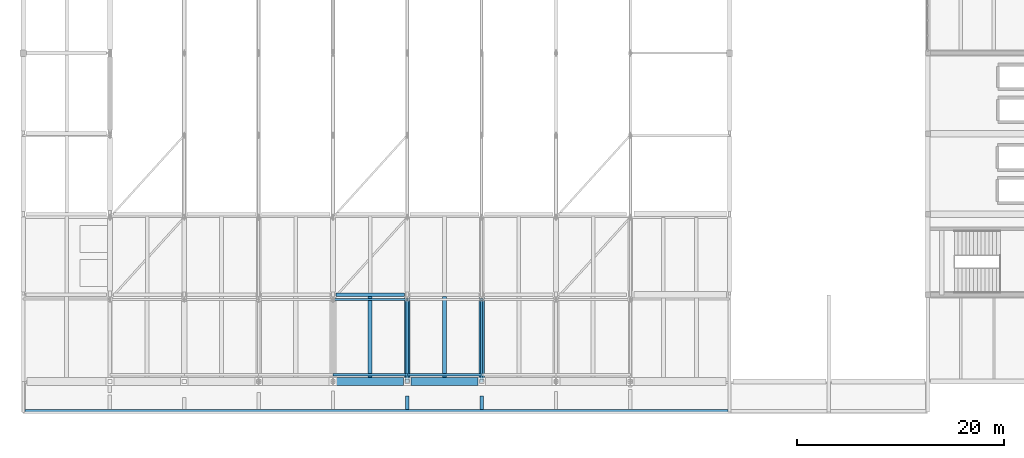
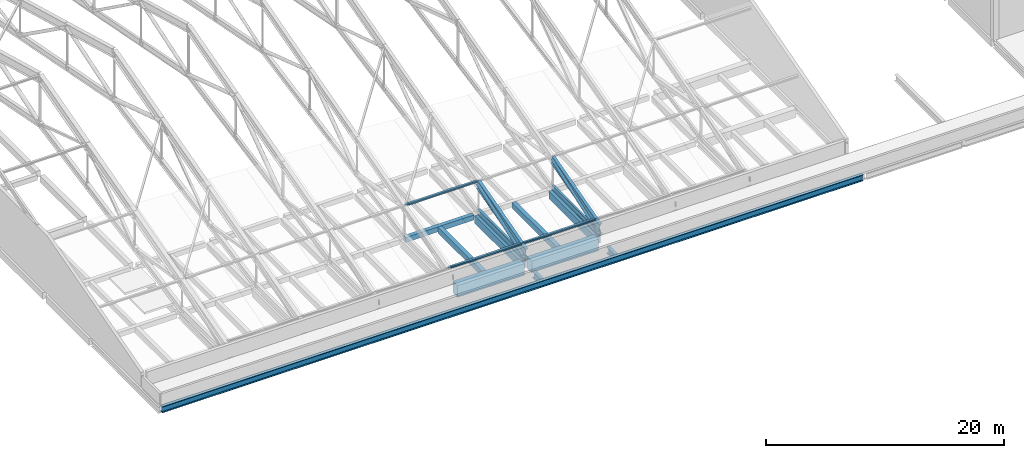
# One storey, part 7 of 53: 14 beams, 5 members.
"""IFC4 building model written with IfcOpenShell, lengths in metres."""

from ifc_helpers import new_model, si_unit, direction, frame, origin, origin_2d, place, context, subcontext, project, spatial, rectangle, hollow_circle, i_section, extrude, material, material_profile, profile_set, type_object, element, save


model = new_model("IFC4")

# Units and contexts
model_context = context("Model", 3, precision=1e-05, world=origin(), true_north=direction((0.0, 1.0)))
body_context = subcontext(model_context, "Body", "Model", "MODEL_VIEW")
ifc_project = project(units=[si_unit("LENGTHUNIT", "METRE"), si_unit("AREAUNIT", "SQUARE_METRE"), si_unit("VOLUMEUNIT", "CUBIC_METRE"), si_unit("PLANEANGLEUNIT", "RADIAN"), si_unit("MASSUNIT", "GRAM", prefix="KILO")], contexts=[model_context])

# Site, building, storey
site_placement = place(None, origin())
site = spatial("IfcSite", under=ifc_project, at=site_placement, CompositionType="ELEMENT")
building_placement = place(site_placement, origin())
building = spatial("IfcBuilding", under=site, at=building_placement, Name="Pellamere Symphony Hall", CompositionType="ELEMENT")
storey_placement = place(building_placement, frame((0.0, 0.0, 24.0)))
storey = spatial("IfcBuildingStorey", under=building, at=storey_placement, Name="L05", CompositionType="ELEMENT", Elevation=24.0)

# Beams
ifc_material_1 = material(Name="Concrete 50 MPa", Category="concrete")
ifc_material_profile_1 = material_profile(ifc_material_1, rectangle(XDim=0.800048828125, YDim=1.199951171875, at=origin_2d()), Name="RC 800x1200")
ifc_profile_set_1 = profile_set([ifc_material_profile_1], Name="Concrete 50 MPa")
beam_type_1 = type_object("IfcBeamType", Name="RC CB-01 800x1200", PredefinedType="BEAM", material=ifc_profile_set_1)
for number, where, z_axis, x_axis, name in (
    (1, (80.75, 30.0, -0.60009765625), (1.0, 0.0, 0.0), (0.0, 1.0, 0.0), "Girder CB-01-X1999 (L05)"),
    (2, (87.949951171875, 30.0, -0.60009765625), (1.0, 0.0, 0.0), (0.0, 1.0, 0.0), "Girder CB-01-X2000 (L05)"),
):
    element("IfcBeam", number, at=place(storey_placement, frame(where, z_axis=z_axis, x_axis=x_axis)), inside=storey, type_object=beam_type_1, Name=name, PredefinedType="BEAM", context=body_context, shape_type="SweptSolid", body=[
        extrude(rectangle(XDim=0.800048828125, YDim=1.199951171875, at=origin_2d()), origin(), (0.0, 0.0, 1.0), 6.5),
    ])
ifc_material_2 = material(Name="Concrete 40 MPa", Category="concrete")
ifc_material_profile_2 = material_profile(ifc_material_2, rectangle(XDim=0.550048828125, YDim=0.800048828125, at=origin_2d()), Name="RC 550x800")
ifc_profile_set_2 = profile_set([ifc_material_profile_2], Name="Concrete 40 MPa")
beam_type_2 = type_object("IfcBeamType", Name="RC CB-05 550x800", PredefinedType="BEAM", material=ifc_profile_set_2)
for number, where, z_axis, x_axis, name in (
    (3, (87.60009765625, 30.35009765625, -0.659912109375), (0.0, 1.0, 0.0), (-1.0, 0.0, 0.0), "Girder CB-05-Y2092 (L05)"),
    (4, (94.800048828125, 30.35009765625, -0.659912109375), (0.0, 1.0, 0.0), (-1.0, 0.0, 0.0), "Girder CB-05-Y2094 (L05)"),
):
    element("IfcBeam", number, at=place(storey_placement, frame(where, z_axis=z_axis, x_axis=x_axis)), inside=storey, type_object=beam_type_2, Name=name, PredefinedType="BEAM", context=body_context, shape_type="SweptSolid", body=[
        extrude(rectangle(XDim=0.550048828125, YDim=0.800048828125, at=origin_2d()), origin(), (0.0, 0.0, 1.0), 7.77490234375),
    ])
ifc_material_profile_3 = material_profile(ifc_material_2, rectangle(XDim=0.39990234375, YDim=0.60009765625, at=origin_2d()), Name="RC 400x600")
ifc_profile_set_3 = profile_set([ifc_material_profile_3], Name="Concrete 40 MPa")
beam_type_3 = type_object("IfcBeamType", Name="RC CB-09 400x600", PredefinedType="BEAM", material=ifc_profile_set_3)
for number, where, z_axis, x_axis, name in (
    (5, (84.0, 30.39990234375, -0.574951171875), (0.0, 1.0, 0.0), (-1.0, 0.0, 0.0), "Secondary Floor Beam CB-09-M1004 (L05)"),
    (6, (91.199951171875, 30.39990234375, -0.574951171875), (0.0, 1.0, 0.0), (-1.0, 0.0, 0.0), "Secondary Floor Beam CB-09-M1104 (L05)"),
):
    element("IfcBeam", number, at=place(storey_placement, frame(where, z_axis=z_axis, x_axis=x_axis)), inside=storey, type_object=beam_type_3, Name=name, PredefinedType="BEAM", context=body_context, shape_type="SweptSolid", body=[
        extrude(rectangle(XDim=0.39990234375, YDim=0.60009765625, at=origin_2d()), origin(), (0.0, 0.0, 1.0), 7.81005859375),
    ])
ifc_material_profile_4 = material_profile(ifc_material_2, rectangle(XDim=0.3798828125, YDim=0.52001953125, at=origin_2d()), Name="RC 380x520")
ifc_profile_set_4 = profile_set([ifc_material_profile_4], Name="Concrete 40 MPa")
beam_type_4 = type_object("IfcBeamType", Name="RC CB-21 380x520", PredefinedType="BEAM", material=ifc_profile_set_4)
beam_1_placement = place(storey_placement, frame((80.675048828125, 38.39990234375, -0.52001953125), z_axis=(1.0, 0.0, 0.0), x_axis=(0.0, 1.0, 0.0)))
element("IfcBeam", 7, at=beam_1_placement, inside=storey, type_object=beam_type_4, Name="Girder CB-21-X2014 (L05)", PredefinedType="BEAM", context=body_context, shape_type="SweptSolid", body=[
    extrude(rectangle(XDim=0.3798828125, YDim=0.52001953125, at=origin_2d()), origin(), (0.0, 0.0, 1.0), 6.64990234375),
])
ifc_material_3 = material(Name="Steel CSA G40.21 350W", Category="steel")
ifc_material_profile_5 = material_profile(ifc_material_3, i_section(OverallWidth=0.30810546875, OverallDepth=0.927001953125, WebThickness=0.019287109375, FlangeThickness=0.031982421875, at=origin_2d()), Name="W920X289")
ifc_profile_set_5 = profile_set([ifc_material_profile_5], Name="Steel CSA G40.21 350W")
beam_type_5 = type_object("IfcBeamType", Name="Steel Beam SB-02 W920X289", PredefinedType="BEAM", material=ifc_profile_set_5)
beam_2_placement = place(storey_placement, frame((87.60009765625, 30.0, 0.771484375), z_axis=(0.0, 0.964090435702, 0.265574154969), x_axis=(-1.0, 0.0, 0.0)))
element("IfcBeam", 8, at=beam_2_placement, inside=storey, type_object=beam_type_5, Name="Roof Truss TR-05 Top Chord 1", PredefinedType="BEAM", context=body_context, shape_type="SweptSolid", body=[
    extrude(i_section(OverallWidth=0.30810546875, OverallDepth=0.927001953125, WebThickness=0.019287109375, FlangeThickness=0.031982421875, at=origin_2d()), origin(), (0.0, 0.0, 1.0), 8.24609375),
])
ifc_material_profile_6 = material_profile(ifc_material_3, i_section(OverallWidth=0.2939453125, OverallDepth=0.85107421875, WebThickness=0.01611328125, FlangeThickness=0.02685546875, at=origin_2d()), Name="W840X226")
ifc_profile_set_6 = profile_set([ifc_material_profile_6], Name="Steel CSA G40.21 350W")
beam_type_6 = type_object("IfcBeamType", Name="Steel Beam SB-04 W840X226", PredefinedType="BEAM", material=ifc_profile_set_6)
beam_3_placement = place(storey_placement, frame((94.800048828125, 30.0, 0.8095703125), z_axis=(0.0, 0.964090435702, 0.265574154969), x_axis=(-1.0, 0.0, 0.0)))
element("IfcBeam", 9, at=beam_3_placement, inside=storey, type_object=beam_type_6, Name="Roof Truss TR-06 Top Chord 1", PredefinedType="BEAM", context=body_context, shape_type="SweptSolid", body=[
    extrude(i_section(OverallWidth=0.2939453125, OverallDepth=0.85107421875, WebThickness=0.01611328125, FlangeThickness=0.02685546875, at=origin_2d()), origin(), (0.0, 0.0, 1.0), 8.24609375),
])
ifc_material_profile_7 = material_profile(ifc_material_3, i_section(OverallWidth=0.3291015625, OverallDepth=0.635009765625, WebThickness=0.017822265625, FlangeThickness=0.031005859375, at=origin_2d()), Name="W610X241")
ifc_profile_set_7 = profile_set([ifc_material_profile_7], Name="Steel CSA G40.21 350W")
beam_type_7 = type_object("IfcBeamType", Name="Steel Beam SB-09 W610X241", PredefinedType="BEAM", material=ifc_profile_set_7)
beam_4_placement = place(storey_placement, frame((87.60009765625, 27.284912109375, -0.5849609375), z_axis=(0.0, 1.0, 0.0), x_axis=(-1.0, 0.0, 0.0)))
element("IfcBeam", 10, at=beam_4_placement, inside=storey, type_object=beam_type_7, Name="Winter-Garden Canopy Outrigger 05", PredefinedType="BEAM", context=body_context, shape_type="SweptSolid", body=[
    extrude(i_section(OverallWidth=0.3291015625, OverallDepth=0.635009765625, WebThickness=0.017822265625, FlangeThickness=0.031005859375, at=origin_2d()), origin(), (0.0, 0.0, 1.0), 1.3115234375),
])
beam_5_placement = place(storey_placement, frame((94.800048828125, 27.284912109375, -0.5849609375), z_axis=(0.0, 1.0, 0.0), x_axis=(-1.0, 0.0, 0.0)))
element("IfcBeam", 11, at=beam_5_placement, inside=storey, type_object=beam_type_7, Name="Winter-Garden Canopy Outrigger 06", PredefinedType="BEAM", context=body_context, shape_type="SweptSolid", body=[
    extrude(i_section(OverallWidth=0.3291015625, OverallDepth=0.635009765625, WebThickness=0.017822265625, FlangeThickness=0.031005859375, at=origin_2d()), origin(), (0.0, 0.0, 1.0), 1.286865234375),
])
beam_6_placement = place(storey_placement, frame((50.56494140625, 27.1201171875, -0.5849609375), z_axis=(1.0, 0.0, 0.0), x_axis=(0.0, 1.0, 0.0)))
element("IfcBeam", 12, at=beam_6_placement, inside=storey, type_object=beam_type_7, Name="Winter-Garden Roof Front Edge Girder 01", PredefinedType="BEAM", context=body_context, shape_type="SweptSolid", body=[
    extrude(i_section(OverallWidth=0.3291015625, OverallDepth=0.635009765625, WebThickness=0.017822265625, FlangeThickness=0.031005859375, at=origin_2d()), origin(), (0.0, 0.0, 1.0), 68.070068359375),
])
ifc_material_profile_8 = material_profile(ifc_material_3, i_section(OverallWidth=0.22802734375, OverallDepth=0.60791015625, WebThickness=0.01123046875, FlangeThickness=0.017333984375, at=origin_2d()), Name="W610X113")
ifc_profile_set_8 = profile_set([ifc_material_profile_8], Name="Steel CSA G40.21 350W")
beam_type_8 = type_object("IfcBeamType", Name="Steel Beam SB-12 W610X113", PredefinedType="BEAM", material=ifc_profile_set_8)
beam_7_placement = place(storey_placement, frame((87.60009765625, 30.0, 0.159912109375), z_axis=(0.0, 1.0, 0.0), x_axis=(-1.0, 0.0, 0.0)))
element("IfcBeam", 13, at=beam_7_placement, inside=storey, type_object=beam_type_8, Name="Roof Truss TR-05 Bottom Chord 1", PredefinedType="BEAM", context=body_context, shape_type="SweptSolid", body=[
    extrude(i_section(OverallWidth=0.22802734375, OverallDepth=0.60791015625, WebThickness=0.01123046875, FlangeThickness=0.017333984375, at=origin_2d()), origin(), (0.0, 0.0, 1.0), 7.949951171875),
])
ifc_material_profile_9 = material_profile(ifc_material_3, i_section(OverallWidth=0.2109375, OverallDepth=0.5390625, WebThickness=0.01171875, FlangeThickness=0.018798828125, at=origin_2d()), Name="W530X109")
ifc_profile_set_9 = profile_set([ifc_material_profile_9], Name="Steel CSA G40.21 350W")
beam_type_9 = type_object("IfcBeamType", Name="Steel Beam SB-14 W530X109", PredefinedType="BEAM", material=ifc_profile_set_9)
beam_8_placement = place(storey_placement, frame((94.800048828125, 30.0, 0.159912109375), z_axis=(0.0, 1.0, 0.0), x_axis=(-1.0, 0.0, 0.0)))
element("IfcBeam", 14, at=beam_8_placement, inside=storey, type_object=beam_type_9, Name="Roof Truss TR-06 Bottom Chord 1", PredefinedType="BEAM", context=body_context, shape_type="SweptSolid", body=[
    extrude(i_section(OverallWidth=0.2109375, OverallDepth=0.5390625, WebThickness=0.01171875, FlangeThickness=0.018798828125, at=origin_2d()), origin(), (0.0, 0.0, 1.0), 7.949951171875),
])

# Members
ifc_material_profile_10 = material_profile(ifc_material_3, hollow_circle(Radius=0.203125, WallThickness=0.0126953125, at=origin_2d()), Name="HSS406X13")
ifc_profile_set_10 = profile_set([ifc_material_profile_10], Name="Steel CSA G40.21 350W")
member_type_1 = type_object("IfcMemberType", Name="Steel Member SM-09 HSS406X13", PredefinedType="STRUT", material=ifc_profile_set_10)
member_1_placement = place(storey_placement, frame((87.60009765625, 30.0, 0.159912109375), z_axis=(0.0, 0.943152241579, 0.332361022391), x_axis=(-1.0, 0.0, 0.0)))
element("IfcMember", 15, at=member_1_placement, inside=storey, type_object=member_type_1, Name="Roof Truss TR-05 Web Diagonal 1", PredefinedType="STRUT", context=body_context, shape_type="SweptSolid", body=[
    extrude(hollow_circle(Radius=0.203125, WallThickness=0.0126953125, at=origin_2d()), origin(), (0.0, 0.0, 1.0), 8.42919921875),
])
ifc_material_profile_11 = material_profile(ifc_material_3, hollow_circle(Radius=0.177734375, WallThickness=0.0126953125, at=origin_2d()), Name="HSS356X13")
ifc_profile_set_11 = profile_set([ifc_material_profile_11], Name="Steel CSA G40.21 350W")
member_type_2 = type_object("IfcMemberType", Name="Steel Member SM-10 HSS356X13", PredefinedType="STRUT", material=ifc_profile_set_11)
member_2_placement = place(storey_placement, frame((94.800048828125, 30.0, 0.159912109375), z_axis=(0.0, 0.941729479178, 0.336371205734), x_axis=(-1.0, 0.0, 0.0)))
element("IfcMember", 16, at=member_2_placement, inside=storey, type_object=member_type_2, Name="Roof Truss TR-06 Web Diagonal 1", PredefinedType="STRUT", context=body_context, shape_type="SweptSolid", body=[
    extrude(hollow_circle(Radius=0.177734375, WallThickness=0.0126953125, at=origin_2d()), origin(), (0.0, 0.0, 1.0), 8.44189453125),
])
ifc_material_profile_12 = material_profile(ifc_material_3, i_section(OverallWidth=0.2041015625, OverallDepth=0.2060546875, WebThickness=0.0078125, FlangeThickness=0.0126953125, at=origin_2d()), Name="W200X52")
ifc_profile_set_12 = profile_set([ifc_material_profile_12], Name="Steel CSA G40.21 350W")
member_type_3 = type_object("IfcMemberType", Name="Steel Member SM-15 W200X52", PredefinedType="PURLIN", material=ifc_profile_set_12)
for number, where, z_axis, x_axis, name in (
    (17, (80.39990234375, 30.64990234375, 1.31103515625), (1.0, 0.0, 0.0), (0.0, 1.0, 0.0), "Folded Roof Eave Purlin 4.0"),
    (18, (80.39990234375, 37.949951171875, 3.322021484375), (1.0, 0.0, 0.0), (0.0, 1.0, 0.0), "Folded Roof Purlin 4.1"),
):
    element("IfcMember", number, at=place(storey_placement, frame(where, z_axis=z_axis, x_axis=x_axis)), inside=storey, type_object=member_type_3, Name=name, PredefinedType="PURLIN", context=body_context, shape_type="SweptSolid", body=[
        extrude(i_section(OverallWidth=0.2041015625, OverallDepth=0.2060546875, WebThickness=0.0078125, FlangeThickness=0.0126953125, at=origin_2d()), origin(), (0.0, 0.0, 1.0), 7.2001953125),
    ])
member_3_placement = place(storey_placement, frame((87.60009765625, 30.64990234375, 1.31103515625), z_axis=(1.0, 0.0, 0.0), x_axis=(0.0, 1.0, 0.0)))
element("IfcMember", 19, at=member_3_placement, inside=storey, type_object=member_type_3, Name="Folded Roof Eave Purlin 5.0", PredefinedType="PURLIN", context=body_context, shape_type="SweptSolid", body=[
    extrude(i_section(OverallWidth=0.2041015625, OverallDepth=0.2060546875, WebThickness=0.0078125, FlangeThickness=0.0126953125, at=origin_2d()), origin(), (0.0, 0.0, 1.0), 7.199951171875),
])

save(model, "model.ifc")
